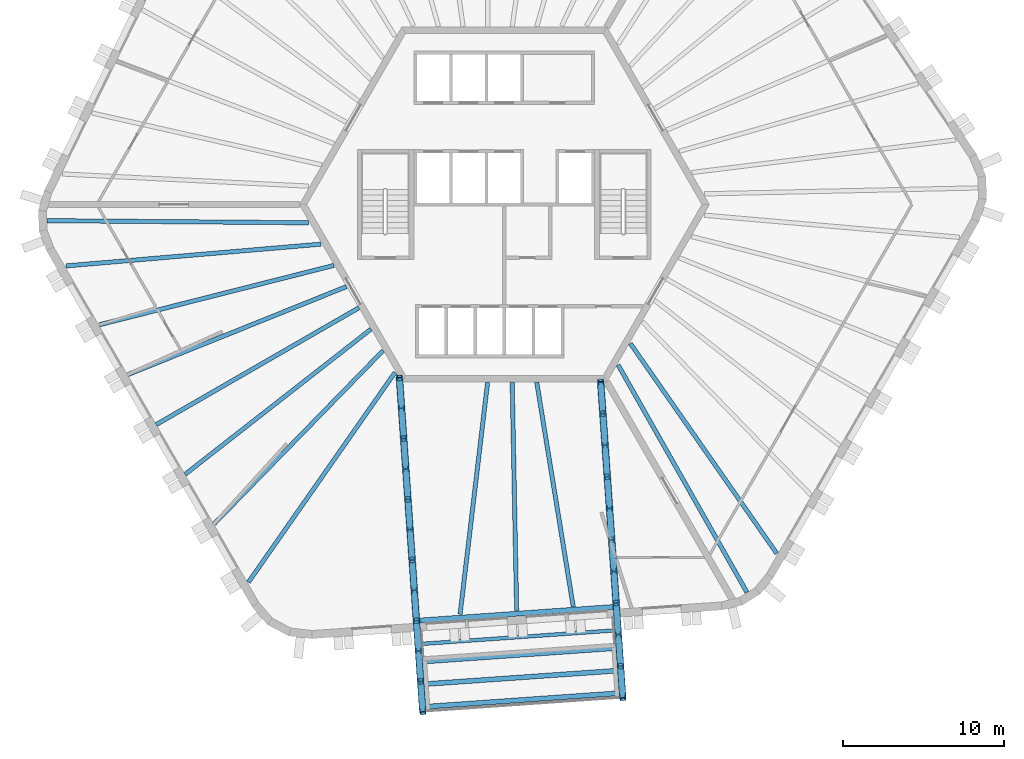
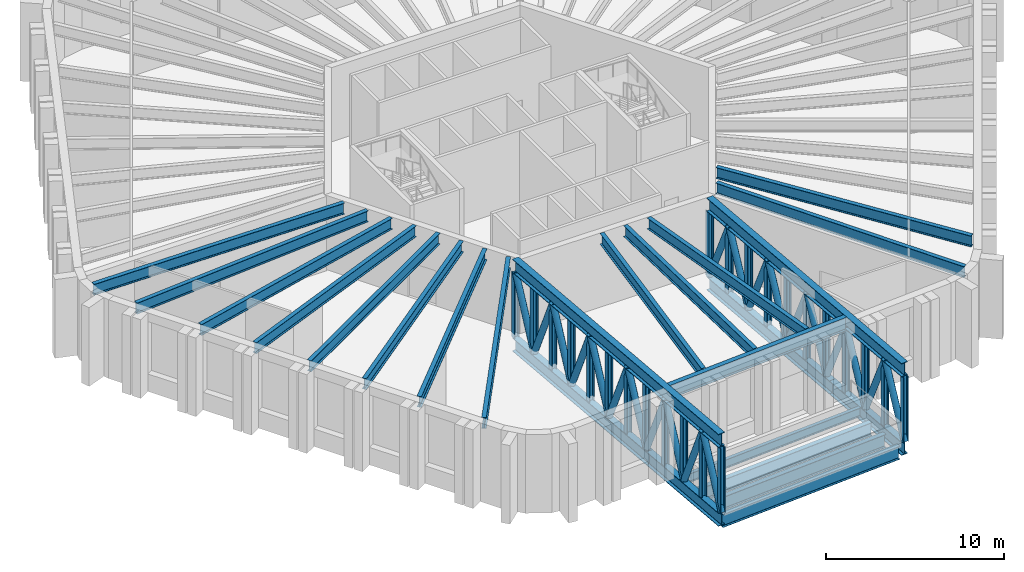
# One storey, part 1 of 9: 50 members, 18 beams.
"""IFC4 building model written with IfcOpenShell, lengths in metres."""

import ifcopenshell
import ifcopenshell.guid

model = None  # the IFC model being written
_history = None  # IfcOwnerHistory: only IFC2X3 demands one
_inside = {}  # id of a spatial element -> (the spatial element, [elements in it])
_under = {}  # id of a project, library or spatial element -> (it, [spatial elements below it])
_declared = {}  # id of a project -> (the project, [libraries it declares])
_typed = {}  # id of a type object -> (the type object, [elements of that type])
_made_of = {}  # id of a material, layer set ... -> (it, [elements and type objects made of it])


def new_model(schema):
    """Start an empty IFC model of exactly this schema.

    Asked for "IFC4X3", IfcOpenShell would pick the latest addendum, in which some entities
    have other attributes; the version numbers below select the first issue.
    IFC2X3 requires an IfcOwnerHistory on every rooted entity: one is made here for all.
    """
    global model, _history
    if schema == "IFC4X3":
        model = ifcopenshell.file(schema_version=(4, 3, 0, 0))
    else:
        model = ifcopenshell.file(schema=schema)
    _inside.clear()
    _under.clear()
    _declared.clear()
    _typed.clear()
    _made_of.clear()
    _history = None
    if model.schema == "IFC2X3":
        org = make("IfcOrganization", Name="unknown")
        user = make(
            "IfcPersonAndOrganization",
            ThePerson=make("IfcPerson", FamilyName="unknown"),
            TheOrganization=org,
        )
        app = make(
            "IfcApplication",
            ApplicationDeveloper=org,
            Version="unknown",
            ApplicationFullName="unknown",
            ApplicationIdentifier="unknown",
        )
        _history = make(
            "IfcOwnerHistory",
            OwningUser=user,
            OwningApplication=app,
            ChangeAction="ADDED",
            CreationDate=0,
        )
    return model


def make(cls, **values):
    """One entity of the class cls with the attributes given. An attribute that is None is left unset."""
    return model.create_entity(
        cls, **{name: value for name, value in values.items() if value is not None}
    )


def rooted(cls, **values):
    """An entity with a GlobalId (a new one), such as an element, a storey or a relation."""
    return make(cls, GlobalId=ifcopenshell.guid.new(), OwnerHistory=_history, **values)


def si_unit(unit_type, name, prefix=None):
    """IfcSIUnit, for example si_unit("LENGTHUNIT", "METRE", prefix="MILLI")."""
    return make("IfcSIUnit", UnitType=unit_type, Prefix=prefix, Name=name)


def assignment(units):
    """IfcUnitAssignment: the units of a project."""
    return None if units is None else make("IfcUnitAssignment", Units=units)


def point(xyz):
    """IfcCartesianPoint."""
    return None if xyz is None else make("IfcCartesianPoint", Coordinates=xyz)


def direction(xyz):
    """IfcDirection."""
    return None if xyz is None else make("IfcDirection", DirectionRatios=xyz)


def frame(location, z_axis=None, x_axis=None):
    """IfcAxis2Placement3D, a coordinate frame: its origin and axes. An axis left out is left unset."""
    return make(
        "IfcAxis2Placement3D",
        Location=point(location),
        Axis=direction(z_axis),
        RefDirection=direction(x_axis),
    )


def frame_2d(location, x_axis=None):
    """IfcAxis2Placement2D, a coordinate frame in the plane: its origin and x axis."""
    return make(
        "IfcAxis2Placement2D", Location=point(location), RefDirection=direction(x_axis)
    )


def origin():
    """The frame at (0, 0, 0) with its axes left unset."""
    return frame((0.0, 0.0, 0.0))


def origin_2d():
    """The frame at (0, 0) in the plane with its x axis left unset."""
    return frame_2d((0.0, 0.0))


def place(relative_to, where):
    """IfcLocalPlacement: puts the frame where relative to a parent placement (None: the world)."""
    return make(
        "IfcLocalPlacement", PlacementRelTo=relative_to, RelativePlacement=where
    )


def context(
    kind, dimensions, precision=None, world=None, true_north=None, identifier=None
):
    """IfcGeometricRepresentationContext, for example the 3D "Model" context."""
    return make(
        "IfcGeometricRepresentationContext",
        ContextIdentifier=identifier,
        ContextType=kind,
        CoordinateSpaceDimension=dimensions,
        Precision=precision,
        WorldCoordinateSystem=world,
        TrueNorth=true_north,
    )


def subcontext(parent, identifier, kind, view, scale=None):
    """IfcGeometricRepresentationSubContext, for example "Body" below "Model"."""
    return make(
        "IfcGeometricRepresentationSubContext",
        ContextIdentifier=identifier,
        ContextType=kind,
        ParentContext=parent,
        TargetScale=scale,
        TargetView=view,
    )


def project(units=None, contexts=None):
    """IfcProject with its units and contexts."""
    return rooted(
        "IfcProject",
        Name="project",
        RepresentationContexts=contexts,
        UnitsInContext=assignment(units),
    )


def spatial(cls, under=None, at=None, **own):
    """A site, building, storey or space (cls), placed at a placement, below another one or the project."""
    s = rooted(cls, ObjectPlacement=at, **own)
    if under is not None:
        _under.setdefault(under.id(), (under, []))[1].append(s)
    return s


def profile(cls, at=None, kind="AREA", **sizes):
    """A parametric profile (cls). Its sizes go by their IFC names, for example OverallWidth=200.0."""
    return make(cls, ProfileType=kind, Position=at, **sizes)


def hollow_circle(**sizes):
    """IfcCircleHollowProfileDef."""
    return profile("IfcCircleHollowProfileDef", **sizes)


def i_section(**sizes):
    """IfcIShapeProfileDef."""
    return profile("IfcIShapeProfileDef", **sizes)


def extrude(swept, where, along, depth):
    """IfcExtrudedAreaSolid: the profile swept, set in the frame where, extruded along a direction by depth."""
    return make(
        "IfcExtrudedAreaSolid",
        SweptArea=swept,
        Position=where,
        ExtrudedDirection=direction(along),
        Depth=depth,
    )


def shape(context_of_items, identifier, shape_type, items):
    """IfcShapeRepresentation: the items that make up one representation, for example the "Body"."""
    return make(
        "IfcShapeRepresentation",
        ContextOfItems=context_of_items,
        RepresentationIdentifier=identifier,
        RepresentationType=shape_type,
        Items=items,
    )


def material(Name=None, Category=None):
    """IfcMaterial."""
    return make("IfcMaterial", Name=Name, Category=Category)


def material_profile(
    of_material, cross_section, Name=None, Category=None, Priority=None
):
    """IfcMaterialProfile: a cross section and its material."""
    return make(
        "IfcMaterialProfile",
        Name=Name,
        Material=of_material,
        Profile=cross_section,
        Priority=Priority,
        Category=Category,
    )


def profile_set(profiles, Name=None, composite=None):
    """IfcMaterialProfileSet."""
    return make(
        "IfcMaterialProfileSet",
        Name=Name,
        MaterialProfiles=profiles,
        CompositeProfile=composite,
    )


def made_of(thing, what):
    """Note that an element or type object is made of a material, layer set ...; save() writes the relation."""
    if what is not None:
        _made_of.setdefault(what.id(), (what, []))[1].append(thing)
    return thing


def type_object(cls, material=None, **own):
    """A type object (cls), such as IfcWallType, which elements share."""
    return made_of(rooted(cls, **own), material)


def element(
    cls,
    number,
    at=None,
    inside=None,
    cuts=None,
    type_object=None,
    material=None,
    context=None,
    identifier="Body",
    shape_type=None,
    held_by="IfcProductDefinitionShape",
    body=None,
    shapes=None,
    **own,
):
    """One element of the class cls, such as IfcWall. Its Tag is "e" and its number.

    at: its placement. inside: the storey or other place that contains it. cuts: it is an
    opening in that element (IfcRelVoidsElement). A single representation is given by context,
    identifier, shape_type and body (its items); several are given by shapes. held_by: the class
    of the entity that holds the representations. save() writes the other relations.
    """
    e = rooted(cls, Tag="e%d" % number, ObjectPlacement=at, **own)
    if body is not None:
        shapes = [shape(context, identifier, shape_type, body)]
    if shapes is not None:
        e.Representation = make(held_by, Representations=shapes)
    if inside is not None:
        _inside.setdefault(inside.id(), (inside, []))[1].append(e)
    if cuts is not None:
        rooted(
            "IfcRelVoidsElement", RelatingBuildingElement=cuts, RelatedOpeningElement=e
        )
    if type_object is not None:
        _typed.setdefault(type_object.id(), (type_object, []))[1].append(e)
    return made_of(e, material)


def aggregate(whole, parts):
    """IfcRelAggregates: a whole, such as a stair, and the parts it consists of."""
    return rooted("IfcRelAggregates", RelatingObject=whole, RelatedObjects=parts)


def save(model, path):
    """Write the relations noted so far, then the file.

    IfcRelAggregates (storeys below a building ...), IfcRelContainedInSpatialStructure (elements
    in a storey), IfcRelDefinesByType, IfcRelAssociatesMaterial and IfcRelDeclares: one each for
    every whole, place, type object, material and project.
    """
    for whole, parts in _under.values():
        aggregate(whole, parts)
    for where, things in _inside.values():
        rooted(
            "IfcRelContainedInSpatialStructure",
            RelatedElements=things,
            RelatingStructure=where,
        )
    for kind, things in _typed.values():
        rooted("IfcRelDefinesByType", RelatedObjects=things, RelatingType=kind)
    for what, things in _made_of.values():
        rooted("IfcRelAssociatesMaterial", RelatedObjects=things, RelatingMaterial=what)
    for by, libraries in _declared.values():
        rooted("IfcRelDeclares", RelatingContext=by, RelatedDefinitions=libraries)
    model.write(path)


model = new_model("IFC4")

# Units and contexts
model_context = context("Model", 3, precision=1e-05, world=origin(), true_north=direction((0.0, 1.0)))
body_context = subcontext(model_context, "Body", "Model", "MODEL_VIEW")
ifc_project = project(units=[si_unit("LENGTHUNIT", "METRE"), si_unit("AREAUNIT", "SQUARE_METRE"), si_unit("VOLUMEUNIT", "CUBIC_METRE"), si_unit("PLANEANGLEUNIT", "RADIAN"), si_unit("MASSUNIT", "GRAM", prefix="KILO")], contexts=[model_context])

# Site, building, storey
site_placement = place(None, origin())
site = spatial("IfcSite", under=ifc_project, at=site_placement, CompositionType="ELEMENT")
building_placement = place(site_placement, origin())
building = spatial("IfcBuilding", under=site, at=building_placement, Name="Tarnside Tower", CompositionType="ELEMENT")
storey_placement = place(building_placement, frame((0.0, 0.0, 338.10009765625)))
storey = spatial("IfcBuildingStorey", under=building, at=storey_placement, Name="L82", CompositionType="ELEMENT", Elevation=338.10009765625)

# Beams
ifc_material_1 = material(Name="Steel S355", Category="steel")
ifc_material_profile_1 = material_profile(ifc_material_1, i_section(OverallWidth=0.2275390625, OverallDepth=0.6025390625, WebThickness=0.010498046875, FlangeThickness=0.014892578125, FilletRadius=0.0126953125, at=origin_2d()), Name="UB 610x229x101")
ifc_profile_set_1 = profile_set([ifc_material_profile_1], Name="Steel S355")
beam_type_1 = type_object("IfcBeamType", Name="Floor beam UB 610x229x101", PredefinedType="BEAM", material=ifc_profile_set_1)
beam_1_placement = place(storey_placement, frame((-5.13818359375, -27.224853515625, -0.601318359375), z_axis=(0.997563556766, 0.069763530677, 0.0), x_axis=(-0.069763530677, 0.997563556766, 0.0)))
element("IfcBeam", 1, at=beam_1_placement, inside=storey, type_object=beam_type_1, Name="Floor beam LG4", PredefinedType="BEAM", context=body_context, shape_type="SweptSolid", body=[
    extrude(i_section(OverallWidth=0.2275390625, OverallDepth=0.6025390625, WebThickness=0.010498046875, FlangeThickness=0.014892578125, FilletRadius=0.0126953125, at=origin_2d()), origin(), (0.0, 0.0, 1.0), 12.0),
])
ifc_material_profile_2 = material_profile(ifc_material_1, i_section(OverallWidth=0.26513671875, OverallDepth=0.75390625, WebThickness=0.0126953125, FlangeThickness=0.017578125, FilletRadius=0.0166015625, at=origin_2d()), Name="UB 762x267x147")
ifc_profile_set_2 = profile_set([ifc_material_profile_2], Name="Steel S355")
beam_type_2 = type_object("IfcBeamType", Name="Floor beam UB 762x267x147", PredefinedType="BEAM", material=ifc_profile_set_2)
beam_2_placement = place(storey_placement, frame((-25.09716796875, -7.45361328125, 4.722900390625), z_axis=(0.969413823687, 0.245431942592, 0.0), x_axis=(-0.245431942592, 0.969413823687, 0.0)))
element("IfcBeam", 2, at=beam_2_placement, inside=storey, type_object=beam_type_2, Name="Floor beam F3.02", PredefinedType="BEAM", context=body_context, shape_type="SweptSolid", body=[
    extrude(i_section(OverallWidth=0.26513671875, OverallDepth=0.75390625, WebThickness=0.0126953125, FlangeThickness=0.017578125, FilletRadius=0.0166015625, at=origin_2d()), origin(), (0.0, 0.0, 1.0), 14.98876953125),
])
beam_3_placement = place(storey_placement, frame((-23.3349609375, -10.54296875, 4.722900390625), z_axis=(0.927625766949, 0.373510958998, 0.0), x_axis=(-0.373510958998, 0.927625766949, 0.0)))
element("IfcBeam", 3, at=beam_3_placement, inside=storey, type_object=beam_type_2, Name="Floor beam F3.03", PredefinedType="BEAM", context=body_context, shape_type="SweptSolid", body=[
    extrude(i_section(OverallWidth=0.26513671875, OverallDepth=0.75390625, WebThickness=0.0126953125, FlangeThickness=0.017578125, FilletRadius=0.0166015625, at=origin_2d()), origin(), (0.0, 0.0, 1.0), 14.60498046875),
])
beam_4_placement = place(storey_placement, frame((-21.5712890625, -13.6376953125, 4.722900390625), z_axis=(0.866357363831, 0.499424587036, 0.0), x_axis=(-0.499424587036, 0.866357363831, 0.0)))
element("IfcBeam", 4, at=beam_4_placement, inside=storey, type_object=beam_type_2, Name="Floor beam F3.04", PredefinedType="BEAM", context=body_context, shape_type="SweptSolid", body=[
    extrude(i_section(OverallWidth=0.26513671875, OverallDepth=0.75390625, WebThickness=0.0126953125, FlangeThickness=0.017578125, FilletRadius=0.0166015625, at=origin_2d()), origin(), (0.0, 0.0, 1.0), 14.5),
])
beam_5_placement = place(storey_placement, frame((-19.77294921875, -16.71240234375, 4.722900390625), z_axis=(0.788074813552, 0.615579473541, 0.0), x_axis=(-0.615579473541, 0.788074813552, 0.0)))
element("IfcBeam", 5, at=beam_5_placement, inside=storey, type_object=beam_type_2, Name="Floor beam F3.05", PredefinedType="BEAM", context=body_context, shape_type="SweptSolid", body=[
    extrude(i_section(OverallWidth=0.26513671875, OverallDepth=0.75390625, WebThickness=0.0126953125, FlangeThickness=0.017578125, FilletRadius=0.0166015625, at=origin_2d()), origin(), (0.0, 0.0, 1.0), 14.60205078125),
])
beam_6_placement = place(storey_placement, frame((-17.978515625, -19.783203125, 4.722900390625), z_axis=(0.698129580508, 0.71597143017, 0.0), x_axis=(-0.71597143017, 0.698129580508, 0.0)))
element("IfcBeam", 6, at=beam_6_placement, inside=storey, type_object=beam_type_2, Name="Floor beam F3.06", PredefinedType="BEAM", context=body_context, shape_type="SweptSolid", body=[
    extrude(i_section(OverallWidth=0.26513671875, OverallDepth=0.75390625, WebThickness=0.0126953125, FlangeThickness=0.017578125, FilletRadius=0.0166015625, at=origin_2d()), origin(), (0.0, 0.0, 1.0), 14.983642578125),
])
beam_7_placement = place(storey_placement, frame((-2.7431640625, -25.38623046875, 4.722900390625), z_axis=(0.117942689163, 0.993020403654, 0.0), x_axis=(-0.993020403654, 0.117942689163, 0.0)))
element("IfcBeam", 7, at=beam_7_placement, inside=storey, type_object=beam_type_2, Name="Floor beam F4.03", PredefinedType="BEAM", context=body_context, shape_type="SweptSolid", body=[
    extrude(i_section(OverallWidth=0.26513671875, OverallDepth=0.75390625, WebThickness=0.0126953125, FlangeThickness=0.017578125, FilletRadius=0.0166015625, at=origin_2d()), origin(), (0.0, 0.0, 1.0), 14.46728515625),
])
beam_8_placement = place(storey_placement, frame((0.76220703125, -25.160400390625, 4.722900390625), z_axis=(-0.01960982678, 0.999807708859, 0.0), x_axis=(-0.999807708859, -0.01960982678, 0.0)))
element("IfcBeam", 8, at=beam_8_placement, inside=storey, type_object=beam_type_2, Name="Floor beam F4.04", PredefinedType="BEAM", context=body_context, shape_type="SweptSolid", body=[
    extrude(i_section(OverallWidth=0.26513671875, OverallDepth=0.75390625, WebThickness=0.0126953125, FlangeThickness=0.017578125, FilletRadius=0.0166015625, at=origin_2d()), origin(), (0.0, 0.0, 1.0), 14.14306640625),
])
beam_9_placement = place(storey_placement, frame((4.268798828125, -24.915283203125, 4.722900390625), z_axis=(-0.160685816896, 0.987005606999, 0.0), x_axis=(-0.987005606999, -0.160685816896, 0.0)))
element("IfcBeam", 9, at=beam_9_placement, inside=storey, type_object=beam_type_2, Name="Floor beam F4.05", PredefinedType="BEAM", context=body_context, shape_type="SweptSolid", body=[
    extrude(i_section(OverallWidth=0.26513671875, OverallDepth=0.75390625, WebThickness=0.0126953125, FlangeThickness=0.017578125, FilletRadius=0.0166015625, at=origin_2d()), origin(), (0.0, 0.0, 1.0), 14.078369140625),
])
ifc_material_profile_3 = material_profile(ifc_material_1, i_section(OverallWidth=0.2666015625, OverallDepth=0.76220703125, WebThickness=0.014404296875, FlangeThickness=0.021484375, FilletRadius=0.0166015625, at=origin_2d()), Name="UB 762x267x173")
ifc_profile_set_3 = profile_set([ifc_material_profile_3], Name="Steel S355")
beam_type_3 = type_object("IfcBeamType", Name="Floor beam UB 762x267x173", PredefinedType="BEAM", material=ifc_profile_set_3)
beam_10_placement = place(storey_placement, frame((-28.3291015625, -1.0009765625, 4.71875), z_axis=(0.999966651082, -0.008166806173, 0.0), x_axis=(0.008166806173, 0.999966651082, 0.0)))
element("IfcBeam", 10, at=beam_10_placement, inside=storey, type_object=beam_type_3, Name="Floor beam C2", PredefinedType="BEAM", context=body_context, shape_type="SweptSolid", body=[
    extrude(i_section(OverallWidth=0.2666015625, OverallDepth=0.76220703125, WebThickness=0.014404296875, FlangeThickness=0.021484375, FilletRadius=0.0166015625, at=origin_2d()), origin(), (0.0, 0.0, 1.0), 16.20263671875),
])
beam_11_placement = place(storey_placement, frame((-27.16357421875, -3.806396484375, 4.71875), z_axis=(0.996367434748, 0.085158293626, 0.0), x_axis=(-0.085158293626, 0.996367434748, 0.0)))
element("IfcBeam", 11, at=beam_11_placement, inside=storey, type_object=beam_type_3, Name="Floor beam F3.01", PredefinedType="BEAM", context=body_context, shape_type="SweptSolid", body=[
    extrude(i_section(OverallWidth=0.2666015625, OverallDepth=0.76220703125, WebThickness=0.014404296875, FlangeThickness=0.021484375, FilletRadius=0.0166015625, at=origin_2d()), origin(), (0.0, 0.0, 1.0), 15.85400390625),
])
beam_12_placement = place(storey_placement, frame((-15.853271484375, -23.396484375, 4.71875), z_axis=(0.572816933654, 0.819683329414, 0.0), x_axis=(-0.819683329414, 0.572816933654, 0.0)))
element("IfcBeam", 12, at=beam_12_placement, inside=storey, type_object=beam_type_3, Name="Floor beam F3.07", PredefinedType="BEAM", context=body_context, shape_type="SweptSolid", body=[
    extrude(i_section(OverallWidth=0.2666015625, OverallDepth=0.76220703125, WebThickness=0.014404296875, FlangeThickness=0.021484375, FilletRadius=0.0166015625, at=origin_2d()), origin(), (0.0, 0.0, 1.0), 15.84619140625),
])
beam_13_placement = place(storey_placement, frame((15.031494140625, -24.033447265625, 4.71875), z_axis=(-0.49290801997, 0.870081423689, 0.0), x_axis=(-0.870081423689, -0.49290801997, 0.0)))
element("IfcBeam", 13, at=beam_13_placement, inside=storey, type_object=beam_type_3, Name="Floor beam C4", PredefinedType="BEAM", context=body_context, shape_type="SweptSolid", body=[
    extrude(i_section(OverallWidth=0.2666015625, OverallDepth=0.76220703125, WebThickness=0.014404296875, FlangeThickness=0.021484375, FilletRadius=0.0166015625, at=origin_2d()), origin(), (0.0, 0.0, 1.0), 16.202880859375),
])
beam_14_placement = place(storey_placement, frame((16.87841796875, -21.62109375, 4.71875), z_axis=(-0.571946235641, 0.82029110902, 0.0), x_axis=(-0.82029110902, -0.571946235641, 0.0)))
element("IfcBeam", 14, at=beam_14_placement, inside=storey, type_object=beam_type_3, Name="Floor beam F5.01", PredefinedType="BEAM", context=body_context, shape_type="SweptSolid", body=[
    extrude(i_section(OverallWidth=0.2666015625, OverallDepth=0.76220703125, WebThickness=0.014404296875, FlangeThickness=0.021484375, FilletRadius=0.0166015625, at=origin_2d()), origin(), (0.0, 0.0, 1.0), 15.85400390625),
])
ifc_material_profile_4 = material_profile(ifc_material_1, i_section(OverallWidth=0.30322265625, OverallDepth=0.903076171875, WebThickness=0.01513671875, FlangeThickness=0.020263671875, FilletRadius=0.01904296875, at=origin_2d()), Name="UB 914x305x201")
ifc_profile_set_4 = profile_set([ifc_material_profile_4], Name="Steel S355")
beam_type_4 = type_object("IfcBeamType", Name="Floor beam UB 914x305x201", PredefinedType="BEAM", material=ifc_profile_set_4)
for number, where, z_axis, x_axis, name in (
    (15, (-4.8662109375, -31.115234375, -1.1015625), (0.997563655782, 0.069762114814, 0.0), (-0.069762114814, 0.997563655782, 0.0), "Floor beam LG1"),
    (16, (-4.9638671875, -29.71875, -1.1015625), (0.997563655782, 0.069762114814, 0.0), (-0.069762114814, 0.997563655782, 0.0), "Floor beam LG2"),
    (17, (-5.0615234375, -28.322021484375, -1.1015625), (0.997563655782, 0.069762114814, 0.0), (-0.069762114814, 0.997563655782, 0.0), "Floor beam LG3"),
):
    element("IfcBeam", number, at=place(storey_placement, frame(where, z_axis=z_axis, x_axis=x_axis)), inside=storey, type_object=beam_type_4, Name=name, PredefinedType="BEAM", context=body_context, shape_type="SweptSolid", body=[
        extrude(i_section(OverallWidth=0.30322265625, OverallDepth=0.903076171875, WebThickness=0.01513671875, FlangeThickness=0.020263671875, FilletRadius=0.01904296875, at=origin_2d()), origin(), (0.0, 0.0, 1.0), 12.000244140625),
    ])
ifc_material_profile_5 = material_profile(ifc_material_1, i_section(OverallWidth=0.3076171875, OverallDepth=0.926513671875, WebThickness=0.01953125, FlangeThickness=0.031982421875, FilletRadius=0.01904296875, at=origin_2d()), Name="UB 914x305x289")
ifc_profile_set_5 = profile_set([ifc_material_profile_5], Name="Steel S355")
beam_type_5 = type_object("IfcBeamType", Name="Perimeter girder UB 914x305x289", PredefinedType="BEAM", material=ifc_profile_set_5)
beam_15_placement = place(storey_placement, frame((-5.239501953125, -25.7744140625, 4.63671875), z_axis=(0.997563556766, 0.069763530677, 0.0), x_axis=(-0.069763530677, 0.997563556766, 0.0)))
element("IfcBeam", 18, at=beam_15_placement, inside=storey, type_object=beam_type_5, Name="Perimeter girder PH1", PredefinedType="BEAM", context=body_context, shape_type="SweptSolid", body=[
    extrude(i_section(OverallWidth=0.3076171875, OverallDepth=0.926513671875, WebThickness=0.01953125, FlangeThickness=0.031982421875, FilletRadius=0.01904296875, at=origin_2d()), origin(), (0.0, 0.0, 1.0), 12.0),
])

# Members
ifc_material_2 = material(Name="Steel S460", Category="steel")
ifc_material_profile_6 = material_profile(ifc_material_2, i_section(OverallWidth=0.42041015625, OverallDepth=0.9208984375, WebThickness=0.021484375, FlangeThickness=0.03662109375, FilletRadius=0.024169921875, at=origin_2d()), Name="UB 914x419x388")
ifc_profile_set_6 = profile_set([ifc_material_profile_6], Name="Steel S460")
member_type_1 = type_object("IfcMemberType", Name="Truss chord UB 914x419x388", PredefinedType="CHORD", material=ifc_profile_set_6)
member_1_placement = place(storey_placement, frame((-5.054931640625, -31.42919921875, 4.639404296875), z_axis=(-0.069753810258, 0.997564236505, 0.0), x_axis=(-0.997564236505, -0.069753810258, 0.0)))
element("IfcMember", 19, at=member_1_placement, inside=storey, type_object=member_type_1, Name="Pool truss top chord 1", PredefinedType="CHORD", context=body_context, shape_type="SweptSolid", body=[
    extrude(i_section(OverallWidth=0.42041015625, OverallDepth=0.9208984375, WebThickness=0.021484375, FlangeThickness=0.03662109375, FilletRadius=0.024169921875, at=origin_2d()), origin(), (0.0, 0.0, 1.0), 20.7412109375),
])
member_2_placement = place(storey_placement, frame((-5.054931640625, -31.42919921875, -0.760498046875), z_axis=(-0.069772830877, 0.997562906323, 0.0), x_axis=(-0.997562906323, -0.069772830877, 0.0)))
element("IfcMember", 20, at=member_2_placement, inside=storey, type_object=member_type_1, Name="Pool truss bottom chord 1 tip", PredefinedType="CHORD", context=body_context, shape_type="SweptSolid", body=[
    extrude(i_section(OverallWidth=0.42041015625, OverallDepth=0.9208984375, WebThickness=0.021484375, FlangeThickness=0.03662109375, FilletRadius=0.024169921875, at=origin_2d()), origin(), (0.0, 0.0, 1.0), 7.25),
])
member_3_placement = place(storey_placement, frame((-5.560791015625, -24.19677734375, -0.760498046875), z_axis=(-0.069743588606, 0.997564951193, 0.0), x_axis=(-0.997564951193, -0.069743588606, 0.0)))
element("IfcMember", 21, at=member_3_placement, inside=storey, type_object=member_type_1, Name="Pool truss bottom chord 1 back-span", PredefinedType="CHORD", context=body_context, shape_type="SweptSolid", body=[
    extrude(i_section(OverallWidth=0.42041015625, OverallDepth=0.9208984375, WebThickness=0.021484375, FlangeThickness=0.03662109375, FilletRadius=0.024169921875, at=origin_2d()), origin(), (0.0, 0.0, 1.0), 13.4912109375),
])
member_4_placement = place(storey_placement, frame((7.335205078125, -30.562744140625, 4.639404296875), z_axis=(-0.069754423205, 0.997564193645, 0.0), x_axis=(-0.997564193645, -0.069754423205, 0.0)))
element("IfcMember", 22, at=member_4_placement, inside=storey, type_object=member_type_1, Name="Pool truss top chord 2", PredefinedType="CHORD", context=body_context, shape_type="SweptSolid", body=[
    extrude(i_section(OverallWidth=0.42041015625, OverallDepth=0.9208984375, WebThickness=0.021484375, FlangeThickness=0.03662109375, FilletRadius=0.024169921875, at=origin_2d()), origin(), (0.0, 0.0, 1.0), 19.610595703125),
])
member_5_placement = place(storey_placement, frame((7.335205078125, -30.562744140625, -0.760498046875), z_axis=(-0.069739320547, 0.99756524958, 0.0), x_axis=(-0.99756524958, -0.069739320547, 0.0)))
element("IfcMember", 23, at=member_5_placement, inside=storey, type_object=member_type_1, Name="Pool truss bottom chord 2 tip", PredefinedType="CHORD", context=body_context, shape_type="SweptSolid", body=[
    extrude(i_section(OverallWidth=0.42041015625, OverallDepth=0.9208984375, WebThickness=0.021484375, FlangeThickness=0.03662109375, FilletRadius=0.024169921875, at=origin_2d()), origin(), (0.0, 0.0, 1.0), 7.25),
])
member_6_placement = place(storey_placement, frame((6.82958984375, -23.330322265625, -0.760498046875), z_axis=(-0.069763281734, 0.997563574175, 0.0), x_axis=(-0.997563574175, -0.069763281734, 0.0)))
element("IfcMember", 24, at=member_6_placement, inside=storey, type_object=member_type_1, Name="Pool truss bottom chord 2 back-span", PredefinedType="CHORD", context=body_context, shape_type="SweptSolid", body=[
    extrude(i_section(OverallWidth=0.42041015625, OverallDepth=0.9208984375, WebThickness=0.021484375, FlangeThickness=0.03662109375, FilletRadius=0.024169921875, at=origin_2d()), origin(), (0.0, 0.0, 1.0), 12.3603515625),
])
ifc_material_profile_7 = material_profile(ifc_material_1, hollow_circle(Radius=0.203125, WallThickness=0.01611328125, at=origin_2d()), Name="CHS 406.4x16")
ifc_profile_set_7 = profile_set([ifc_material_profile_7], Name="Steel S355")
member_type_2 = type_object("IfcMemberType", Name="Truss diagonal CHS 406.4x16", PredefinedType="BRACE", material=ifc_profile_set_7)
member_7_placement = place(storey_placement, frame((-5.054931640625, -31.42919921875, -0.300048828125), z_axis=(-0.027077795269, 0.387076832188, 0.921649781092), x_axis=(-0.997562122657, -0.069784034278, 0.0)))
element("IfcMember", 25, at=member_7_placement, inside=storey, type_object=member_type_2, Name="Pool truss diagonal 1.1", PredefinedType="BRACE", context=body_context, shape_type="SweptSolid", body=[
    extrude(hollow_circle(Radius=0.203125, WallThickness=0.01611328125, at=origin_2d()), origin(), (0.0, 0.0, 1.0), 4.85986328125),
])
for number, where, z_axis, x_axis, name in (
    (26, (-5.1865234375, -29.548095703125, 4.178955078125), (-0.027078321795, 0.387034120792, -0.9216677025), (-0.997561492043, -0.069793048314, 0.0), "Pool truss diagonal 1.2"),
    (27, (-5.318115234375, -27.667236328125, -0.300048828125), (-0.027028120455, 0.387034646812, 0.921668955142), (-0.997570499, -0.06966419113, 0.0), "Pool truss diagonal 1.3"),
):
    element("IfcMember", number, at=place(storey_placement, frame(where, z_axis=z_axis, x_axis=x_axis)), inside=storey, type_object=member_type_2, Name=name, PredefinedType="BRACE", context=body_context, shape_type="SweptSolid", body=[
        extrude(hollow_circle(Radius=0.203125, WallThickness=0.01611328125, at=origin_2d()), origin(), (0.0, 0.0, 1.0), 4.859619140625),
    ])
member_8_placement = place(storey_placement, frame((-5.449462890625, -25.786376953125, 4.178955078125), z_axis=(-0.027077795269, 0.387076832188, -0.921649781092), x_axis=(-0.997562122657, -0.069784034278, 0.0)))
element("IfcMember", 28, at=member_8_placement, inside=storey, type_object=member_type_2, Name="Pool truss diagonal 1.4", PredefinedType="BRACE", context=body_context, shape_type="SweptSolid", body=[
    extrude(hollow_circle(Radius=0.203125, WallThickness=0.01611328125, at=origin_2d()), origin(), (0.0, 0.0, 1.0), 4.85986328125),
])
member_9_placement = place(storey_placement, frame((-5.5810546875, -23.9052734375, -0.300048828125), z_axis=(-0.027078321795, 0.387034120792, 0.9216677025), x_axis=(-0.997561492043, -0.069793048314, 0.0)))
element("IfcMember", 29, at=member_9_placement, inside=storey, type_object=member_type_2, Name="Pool truss diagonal 1.5", PredefinedType="BRACE", context=body_context, shape_type="SweptSolid", body=[
    extrude(hollow_circle(Radius=0.203125, WallThickness=0.01611328125, at=origin_2d()), origin(), (0.0, 0.0, 1.0), 4.859619140625),
])
member_10_placement = place(storey_placement, frame((-5.712646484375, -22.0244140625, 4.178955078125), z_axis=(-0.027027594904, 0.387077358245, -0.921651033661), x_axis=(-0.997571127293, -0.069655193573, 0.0)))
element("IfcMember", 30, at=member_10_placement, inside=storey, type_object=member_type_2, Name="Pool truss diagonal 1.6", PredefinedType="BRACE", context=body_context, shape_type="SweptSolid", body=[
    extrude(hollow_circle(Radius=0.203125, WallThickness=0.01611328125, at=origin_2d()), origin(), (0.0, 0.0, 1.0), 4.85986328125),
])
for number, where, z_axis, x_axis, name in (
    (31, (-5.843994140625, -20.143310546875, -0.300048828125), (-0.027078321795, 0.387034120792, 0.9216677025), (-0.997561492043, -0.069793048314, 0.0), "Pool truss diagonal 1.7"),
    (32, (-5.9755859375, -18.262451171875, 4.178955078125), (-0.027078321795, 0.387034120792, -0.9216677025), (-0.997561492043, -0.069793048314, 0.0), "Pool truss diagonal 1.8"),
):
    element("IfcMember", number, at=place(storey_placement, frame(where, z_axis=z_axis, x_axis=x_axis)), inside=storey, type_object=member_type_2, Name=name, PredefinedType="BRACE", context=body_context, shape_type="SweptSolid", body=[
        extrude(hollow_circle(Radius=0.203125, WallThickness=0.01611328125, at=origin_2d()), origin(), (0.0, 0.0, 1.0), 4.859619140625),
    ])
member_11_placement = place(storey_placement, frame((-6.107177734375, -16.381591796875, -0.300048828125), z_axis=(-0.027077795269, 0.387076832188, 0.921649781092), x_axis=(-0.997562122657, -0.069784034278, 0.0)))
element("IfcMember", 33, at=member_11_placement, inside=storey, type_object=member_type_2, Name="Pool truss diagonal 1.9", PredefinedType="BRACE", context=body_context, shape_type="SweptSolid", body=[
    extrude(hollow_circle(Radius=0.203125, WallThickness=0.01611328125, at=origin_2d()), origin(), (0.0, 0.0, 1.0), 4.85986328125),
])
member_12_placement = place(storey_placement, frame((-6.23876953125, -14.50048828125, 4.178955078125), z_axis=(-0.027028120455, 0.387034646812, -0.921668955142), x_axis=(-0.997570499, -0.06966419113, 0.0)))
element("IfcMember", 34, at=member_12_placement, inside=storey, type_object=member_type_2, Name="Pool truss diagonal 1.10", PredefinedType="BRACE", context=body_context, shape_type="SweptSolid", body=[
    extrude(hollow_circle(Radius=0.203125, WallThickness=0.01611328125, at=origin_2d()), origin(), (0.0, 0.0, 1.0), 4.859619140625),
])
member_13_placement = place(storey_placement, frame((-6.3701171875, -12.61962890625, -0.300048828125), z_axis=(-0.027077795269, 0.387076832188, 0.921649781092), x_axis=(-0.997562122657, -0.069784034278, 0.0)))
element("IfcMember", 35, at=member_13_placement, inside=storey, type_object=member_type_2, Name="Pool truss diagonal 1.11", PredefinedType="BRACE", context=body_context, shape_type="SweptSolid", body=[
    extrude(hollow_circle(Radius=0.203125, WallThickness=0.01611328125, at=origin_2d()), origin(), (0.0, 0.0, 1.0), 4.85986328125),
])
for number, where, z_axis, x_axis, name in (
    (36, (7.335205078125, -30.562744140625, -0.300048828125), (-0.027961666888, 0.400101494242, 0.916044179879), (-0.997566852342, -0.069716390529, 0.0), "Pool truss diagonal 2.1"),
    (37, (7.198486328125, -28.6064453125, 4.178955078125), (-0.027961666888, 0.400101494242, -0.916044179879), (-0.997566852342, -0.069716390529, 0.0), "Pool truss diagonal 2.2"),
    (38, (7.061767578125, -26.650146484375, -0.300048828125), (-0.028011559293, 0.400100935135, 0.916042899787), (-0.997558186601, -0.069840277385, 0.0), "Pool truss diagonal 2.3"),
    (39, (6.9248046875, -24.69384765625, 4.178955078125), (-0.02796222548, 0.40005955454, -0.916062479729), (-0.997566247144, -0.069725049725, 0.0), "Pool truss diagonal 2.4"),
    (40, (6.7880859375, -22.73779296875, -0.300048828125), (-0.027961666888, 0.400101494242, 0.916044179879), (-0.997566852342, -0.069716390529, 0.0), "Pool truss diagonal 2.5"),
    (41, (6.6513671875, -20.781494140625, 4.178955078125), (-0.028011559293, 0.400100935135, -0.916042899787), (-0.997558186601, -0.069840277385, 0.0), "Pool truss diagonal 2.6"),
    (42, (6.514404296875, -18.8251953125, -0.300048828125), (-0.027961666888, 0.400101494242, 0.916044179879), (-0.997566852342, -0.069716390529, 0.0), "Pool truss diagonal 2.7"),
    (43, (6.377685546875, -16.868896484375, 4.178955078125), (-0.027961666888, 0.400101494242, -0.916044179879), (-0.997566852342, -0.069716390529, 0.0), "Pool truss diagonal 2.8"),
    (44, (6.240966796875, -14.91259765625, -0.300048828125), (-0.028011559293, 0.400100935135, 0.916042899787), (-0.997558186601, -0.069840277385, 0.0), "Pool truss diagonal 2.9"),
    (45, (6.10400390625, -12.956298828125, 4.178955078125), (-0.027961666888, 0.400101494242, -0.916044179879), (-0.997566852342, -0.069716390529, 0.0), "Pool truss diagonal 2.10"),
):
    element("IfcMember", number, at=place(storey_placement, frame(where, z_axis=z_axis, x_axis=x_axis)), inside=storey, type_object=member_type_2, Name=name, PredefinedType="BRACE", context=body_context, shape_type="SweptSolid", body=[
        extrude(hollow_circle(Radius=0.203125, WallThickness=0.01611328125, at=origin_2d()), origin(), (0.0, 0.0, 1.0), 4.889404296875),
    ])
ifc_material_profile_8 = material_profile(ifc_material_1, i_section(OverallWidth=0.314453125, OverallDepth=0.33984375, WebThickness=0.01904296875, FlangeThickness=0.031494140625, FilletRadius=0.01513671875, at=origin_2d()), Name="UC 305x305x198")
ifc_profile_set_8 = profile_set([ifc_material_profile_8], Name="Steel S355")
member_type_3 = type_object("IfcMemberType", Name="Truss post UC 305x305x198", PredefinedType="POST", material=ifc_profile_set_8)
for number, where, z_axis, x_axis, name in (
    (46, (-5.054931640625, -31.42919921875, -0.300048828125), (0.0, 0.0, 1.0), (-0.069756473744, 0.99756405026, 0.0), "Pool truss post 1.1"),
    (47, (-5.1865234375, -29.548095703125, -0.300048828125), (0.0, 0.0, 1.0), (-0.069756473744, 0.99756405026, 0.0), "Pool truss post 1.2"),
    (48, (-5.318115234375, -27.667236328125, -0.300048828125), (0.0, 0.0, 1.0), (-0.069756473744, 0.99756405026, 0.0), "Pool truss post 1.3"),
    (49, (-5.449462890625, -25.786376953125, -0.300048828125), (0.0, 0.0, 1.0), (-0.069756473744, 0.99756405026, 0.0), "Pool truss post 1.4"),
    (50, (-5.5810546875, -23.9052734375, -0.300048828125), (0.0, 0.0, 1.0), (-0.069756473744, 0.99756405026, 0.0), "Pool truss post 1.5"),
    (51, (-5.712646484375, -22.0244140625, -0.300048828125), (0.0, 0.0, 1.0), (-0.069756473744, 0.99756405026, 0.0), "Pool truss post 1.6"),
    (52, (-5.843994140625, -20.143310546875, -0.300048828125), (0.0, 0.0, 1.0), (-0.069756473744, 0.99756405026, 0.0), "Pool truss post 1.7"),
    (53, (-5.9755859375, -18.262451171875, -0.300048828125), (0.0, 0.0, 1.0), (-0.069756473744, 0.99756405026, 0.0), "Pool truss post 1.8"),
    (54, (-6.107177734375, -16.381591796875, -0.300048828125), (0.0, 0.0, 1.0), (-0.069756473744, 0.99756405026, 0.0), "Pool truss post 1.9"),
    (55, (-6.23876953125, -14.50048828125, -0.300048828125), (0.0, 0.0, 1.0), (-0.069756473744, 0.99756405026, 0.0), "Pool truss post 1.10"),
    (56, (-6.3701171875, -12.61962890625, -0.300048828125), (0.0, 0.0, 1.0), (-0.069756473744, 0.99756405026, 0.0), "Pool truss post 1.11"),
    (57, (-6.501708984375, -10.738525390625, -0.300048828125), (0.0, 0.0, 1.0), (-0.069756473744, 0.99756405026, 0.0), "Pool truss post 1.12"),
    (58, (7.335205078125, -30.562744140625, -0.300048828125), (0.0, 0.0, 1.0), (-0.069756473744, 0.99756405026, 0.0), "Pool truss post 2.1"),
    (59, (7.198486328125, -28.6064453125, -0.300048828125), (0.0, 0.0, 1.0), (-0.069756473744, 0.99756405026, 0.0), "Pool truss post 2.2"),
    (60, (7.061767578125, -26.650146484375, -0.300048828125), (0.0, 0.0, 1.0), (-0.069756473744, 0.99756405026, 0.0), "Pool truss post 2.3"),
    (61, (6.9248046875, -24.69384765625, -0.300048828125), (0.0, 0.0, 1.0), (-0.069756473744, 0.99756405026, 0.0), "Pool truss post 2.4"),
    (62, (6.7880859375, -22.73779296875, -0.300048828125), (0.0, 0.0, 1.0), (-0.069756473744, 0.99756405026, 0.0), "Pool truss post 2.5"),
    (63, (6.6513671875, -20.781494140625, -0.300048828125), (0.0, 0.0, 1.0), (-0.069756473744, 0.99756405026, 0.0), "Pool truss post 2.6"),
    (64, (6.514404296875, -18.8251953125, -0.300048828125), (0.0, 0.0, 1.0), (-0.069756473744, 0.99756405026, 0.0), "Pool truss post 2.7"),
    (65, (6.377685546875, -16.868896484375, -0.300048828125), (0.0, 0.0, 1.0), (-0.069756473744, 0.99756405026, 0.0), "Pool truss post 2.8"),
    (66, (6.240966796875, -14.91259765625, -0.300048828125), (0.0, 0.0, 1.0), (-0.069756473744, 0.99756405026, 0.0), "Pool truss post 2.9"),
    (67, (6.10400390625, -12.956298828125, -0.300048828125), (0.0, 0.0, 1.0), (-0.069756473744, 0.99756405026, 0.0), "Pool truss post 2.10"),
    (68, (5.96728515625, -11.0, -0.300048828125), (0.0, 0.0, 1.0), (-0.069756473744, 0.99756405026, 0.0), "Pool truss post 2.11"),
):
    element("IfcMember", number, at=place(storey_placement, frame(where, z_axis=z_axis, x_axis=x_axis)), inside=storey, type_object=member_type_3, Name=name, PredefinedType="POST", context=body_context, shape_type="SweptSolid", body=[
        extrude(i_section(OverallWidth=0.314453125, OverallDepth=0.33984375, WebThickness=0.01904296875, FlangeThickness=0.031494140625, FilletRadius=0.01513671875, at=origin_2d()), origin(), (0.0, 0.0, 1.0), 4.47900390625),
    ])

save(model, "model.ifc")
